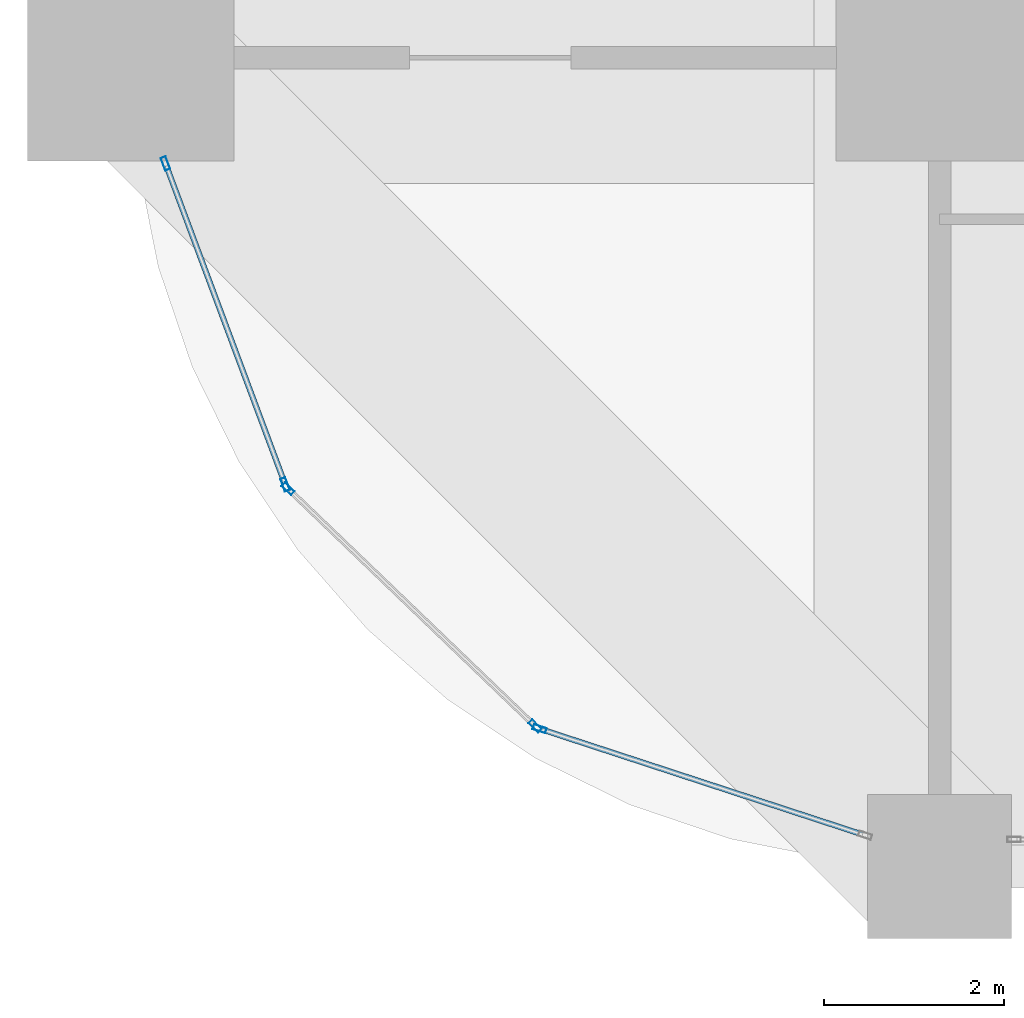
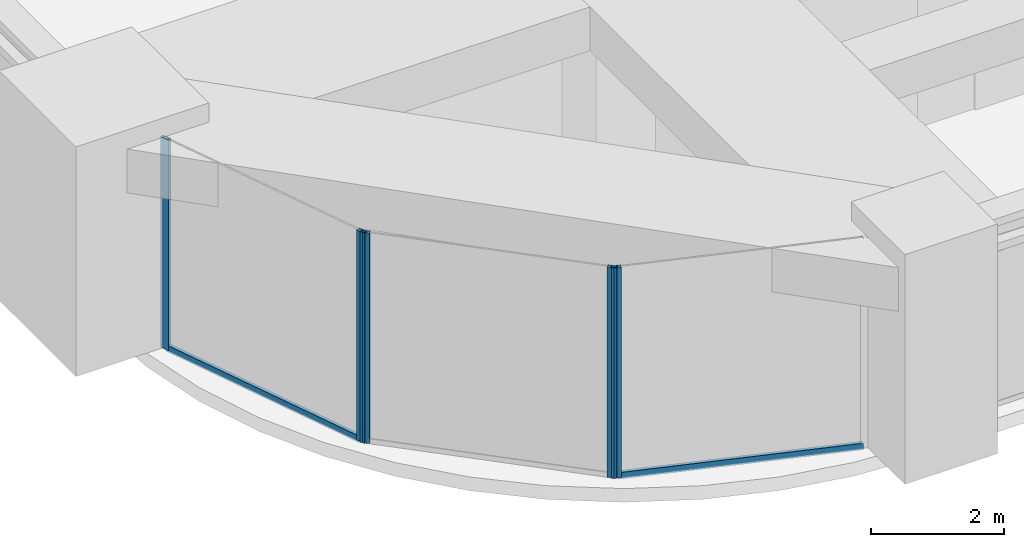
# One storey, part 2 of 39: 7 members, 3 elements without a shape of their own.
"""IFC4 building model written with IfcOpenShell, lengths in metres."""

import ifcopenshell
import ifcopenshell.guid

model = None  # the IFC model being written
_history = None  # IfcOwnerHistory: only IFC2X3 demands one
_inside = {}  # id of a spatial element -> (the spatial element, [elements in it])
_under = {}  # id of a project, library or spatial element -> (it, [spatial elements below it])
_declared = {}  # id of a project -> (the project, [libraries it declares])
_typed = {}  # id of a type object -> (the type object, [elements of that type])
_made_of = {}  # id of a material, layer set ... -> (it, [elements and type objects made of it])


def new_model(schema):
    """Start an empty IFC model of exactly this schema.

    Asked for "IFC4X3", IfcOpenShell would pick the latest addendum, in which some entities
    have other attributes; the version numbers below select the first issue.
    IFC2X3 requires an IfcOwnerHistory on every rooted entity: one is made here for all.
    """
    global model, _history
    if schema == "IFC4X3":
        model = ifcopenshell.file(schema_version=(4, 3, 0, 0))
    else:
        model = ifcopenshell.file(schema=schema)
    _inside.clear()
    _under.clear()
    _declared.clear()
    _typed.clear()
    _made_of.clear()
    _history = None
    if model.schema == "IFC2X3":
        org = make("IfcOrganization", Name="unknown")
        user = make(
            "IfcPersonAndOrganization",
            ThePerson=make("IfcPerson", FamilyName="unknown"),
            TheOrganization=org,
        )
        app = make(
            "IfcApplication",
            ApplicationDeveloper=org,
            Version="unknown",
            ApplicationFullName="unknown",
            ApplicationIdentifier="unknown",
        )
        _history = make(
            "IfcOwnerHistory",
            OwningUser=user,
            OwningApplication=app,
            ChangeAction="ADDED",
            CreationDate=0,
        )
    return model


def make(cls, **values):
    """One entity of the class cls with the attributes given. An attribute that is None is left unset."""
    return model.create_entity(
        cls, **{name: value for name, value in values.items() if value is not None}
    )


def rooted(cls, **values):
    """An entity with a GlobalId (a new one), such as an element, a storey or a relation."""
    return make(cls, GlobalId=ifcopenshell.guid.new(), OwnerHistory=_history, **values)


def si_unit(unit_type, name, prefix=None):
    """IfcSIUnit, for example si_unit("LENGTHUNIT", "METRE", prefix="MILLI")."""
    return make("IfcSIUnit", UnitType=unit_type, Prefix=prefix, Name=name)


def assignment(units):
    """IfcUnitAssignment: the units of a project."""
    return None if units is None else make("IfcUnitAssignment", Units=units)


def point(xyz):
    """IfcCartesianPoint."""
    return None if xyz is None else make("IfcCartesianPoint", Coordinates=xyz)


def direction(xyz):
    """IfcDirection."""
    return None if xyz is None else make("IfcDirection", DirectionRatios=xyz)


def frame(location, z_axis=None, x_axis=None):
    """IfcAxis2Placement3D, a coordinate frame: its origin and axes. An axis left out is left unset."""
    return make(
        "IfcAxis2Placement3D",
        Location=point(location),
        Axis=direction(z_axis),
        RefDirection=direction(x_axis),
    )


def frame_2d(location, x_axis=None):
    """IfcAxis2Placement2D, a coordinate frame in the plane: its origin and x axis."""
    return make(
        "IfcAxis2Placement2D", Location=point(location), RefDirection=direction(x_axis)
    )


def origin():
    """The frame at (0, 0, 0) with its axes left unset."""
    return frame((0.0, 0.0, 0.0))


def origin_2d():
    """The frame at (0, 0) in the plane with its x axis left unset."""
    return frame_2d((0.0, 0.0))


def place(relative_to, where):
    """IfcLocalPlacement: puts the frame where relative to a parent placement (None: the world)."""
    return make(
        "IfcLocalPlacement", PlacementRelTo=relative_to, RelativePlacement=where
    )


def context(
    kind, dimensions, precision=None, world=None, true_north=None, identifier=None
):
    """IfcGeometricRepresentationContext, for example the 3D "Model" context."""
    return make(
        "IfcGeometricRepresentationContext",
        ContextIdentifier=identifier,
        ContextType=kind,
        CoordinateSpaceDimension=dimensions,
        Precision=precision,
        WorldCoordinateSystem=world,
        TrueNorth=true_north,
    )


def subcontext(parent, identifier, kind, view, scale=None):
    """IfcGeometricRepresentationSubContext, for example "Body" below "Model"."""
    return make(
        "IfcGeometricRepresentationSubContext",
        ContextIdentifier=identifier,
        ContextType=kind,
        ParentContext=parent,
        TargetScale=scale,
        TargetView=view,
    )


def project(units=None, contexts=None):
    """IfcProject with its units and contexts."""
    return rooted(
        "IfcProject",
        Name="project",
        RepresentationContexts=contexts,
        UnitsInContext=assignment(units),
    )


def spatial(cls, under=None, at=None, **own):
    """A site, building, storey or space (cls), placed at a placement, below another one or the project."""
    s = rooted(cls, ObjectPlacement=at, **own)
    if under is not None:
        _under.setdefault(under.id(), (under, []))[1].append(s)
    return s


def profile(cls, at=None, kind="AREA", **sizes):
    """A parametric profile (cls). Its sizes go by their IFC names, for example OverallWidth=200.0."""
    return make(cls, ProfileType=kind, Position=at, **sizes)


def hollow_rectangle(**sizes):
    """IfcRectangleHollowProfileDef."""
    return profile("IfcRectangleHollowProfileDef", **sizes)


def extrude(swept, where, along, depth):
    """IfcExtrudedAreaSolid: the profile swept, set in the frame where, extruded along a direction by depth."""
    return make(
        "IfcExtrudedAreaSolid",
        SweptArea=swept,
        Position=where,
        ExtrudedDirection=direction(along),
        Depth=depth,
    )


def shape(context_of_items, identifier, shape_type, items):
    """IfcShapeRepresentation: the items that make up one representation, for example the "Body"."""
    return make(
        "IfcShapeRepresentation",
        ContextOfItems=context_of_items,
        RepresentationIdentifier=identifier,
        RepresentationType=shape_type,
        Items=items,
    )


def material(Name=None, Category=None):
    """IfcMaterial."""
    return make("IfcMaterial", Name=Name, Category=Category)


def material_profile(
    of_material, cross_section, Name=None, Category=None, Priority=None
):
    """IfcMaterialProfile: a cross section and its material."""
    return make(
        "IfcMaterialProfile",
        Name=Name,
        Material=of_material,
        Profile=cross_section,
        Priority=Priority,
        Category=Category,
    )


def profile_set(profiles, Name=None, composite=None):
    """IfcMaterialProfileSet."""
    return make(
        "IfcMaterialProfileSet",
        Name=Name,
        MaterialProfiles=profiles,
        CompositeProfile=composite,
    )


def made_of(thing, what):
    """Note that an element or type object is made of a material, layer set ...; save() writes the relation."""
    if what is not None:
        _made_of.setdefault(what.id(), (what, []))[1].append(thing)
    return thing


def type_object(cls, material=None, **own):
    """A type object (cls), such as IfcWallType, which elements share."""
    return made_of(rooted(cls, **own), material)


def element(
    cls,
    number,
    at=None,
    inside=None,
    cuts=None,
    type_object=None,
    material=None,
    context=None,
    identifier="Body",
    shape_type=None,
    held_by="IfcProductDefinitionShape",
    body=None,
    shapes=None,
    **own,
):
    """One element of the class cls, such as IfcWall. Its Tag is "e" and its number.

    at: its placement. inside: the storey or other place that contains it. cuts: it is an
    opening in that element (IfcRelVoidsElement). A single representation is given by context,
    identifier, shape_type and body (its items); several are given by shapes. held_by: the class
    of the entity that holds the representations. save() writes the other relations.
    """
    e = rooted(cls, Tag="e%d" % number, ObjectPlacement=at, **own)
    if body is not None:
        shapes = [shape(context, identifier, shape_type, body)]
    if shapes is not None:
        e.Representation = make(held_by, Representations=shapes)
    if inside is not None:
        _inside.setdefault(inside.id(), (inside, []))[1].append(e)
    if cuts is not None:
        rooted(
            "IfcRelVoidsElement", RelatingBuildingElement=cuts, RelatedOpeningElement=e
        )
    if type_object is not None:
        _typed.setdefault(type_object.id(), (type_object, []))[1].append(e)
    return made_of(e, material)


def aggregate(whole, parts):
    """IfcRelAggregates: a whole, such as a stair, and the parts it consists of."""
    return rooted("IfcRelAggregates", RelatingObject=whole, RelatedObjects=parts)


def save(model, path):
    """Write the relations noted so far, then the file.

    IfcRelAggregates (storeys below a building ...), IfcRelContainedInSpatialStructure (elements
    in a storey), IfcRelDefinesByType, IfcRelAssociatesMaterial and IfcRelDeclares: one each for
    every whole, place, type object, material and project.
    """
    for whole, parts in _under.values():
        aggregate(whole, parts)
    for where, things in _inside.values():
        rooted(
            "IfcRelContainedInSpatialStructure",
            RelatedElements=things,
            RelatingStructure=where,
        )
    for kind, things in _typed.values():
        rooted("IfcRelDefinesByType", RelatedObjects=things, RelatingType=kind)
    for what, things in _made_of.values():
        rooted("IfcRelAssociatesMaterial", RelatedObjects=things, RelatingMaterial=what)
    for by, libraries in _declared.values():
        rooted("IfcRelDeclares", RelatingContext=by, RelatedDefinitions=libraries)
    model.write(path)


model = new_model("IFC4")

# Units and contexts
model_context = context("Model", 3, precision=1e-05, world=origin(), true_north=direction((0.0, 1.0)))
body_context = subcontext(model_context, "Body", "Model", "MODEL_VIEW")
ifc_project = project(units=[si_unit("LENGTHUNIT", "METRE"), si_unit("AREAUNIT", "SQUARE_METRE"), si_unit("VOLUMEUNIT", "CUBIC_METRE"), si_unit("PLANEANGLEUNIT", "RADIAN"), si_unit("MASSUNIT", "GRAM", prefix="KILO")], contexts=[model_context])

# Site, building, storey
site_placement = place(None, origin())
site = spatial("IfcSite", under=ifc_project, at=site_placement, CompositionType="ELEMENT")
building_placement = place(site_placement, origin())
building = spatial("IfcBuilding", under=site, at=building_placement, Name="Zorevar Civic Tower", CompositionType="ELEMENT")
storey_placement = place(building_placement, frame((0.0, 0.0, 230.199951171875)))
storey = spatial("IfcBuildingStorey", under=building, at=storey_placement, Name="L56", CompositionType="ELEMENT", Elevation=230.199951171875)

# Curtain wall, members
ifc_material_1 = material(Name="Dark grey solar-control glass in black aluminium frame", Category="aluminium")
curtain_wall_type = type_object("IfcCurtainWallType", Name="Curtain wall CW4 high zone", PredefinedType="NOTDEFINED", material=ifc_material_1)
curtain_wall_1_placement = place(storey_placement, origin())
curtain_wall_1 = element("IfcCurtainWall", 1, at=curtain_wall_1_placement, inside=storey, type_object=curtain_wall_type, Name="CW4 L56", PredefinedType="NOTDEFINED")
ifc_material_2 = material(Name="Aluminium, black anodised", Category="aluminium")
ifc_material_profile_1 = material_profile(ifc_material_2, hollow_rectangle(XDim=0.06005859375, YDim=0.14990234375, WallThickness=0.00390625, at=origin_2d()), Name="AL 150x60x4")
ifc_profile_set_1 = profile_set([ifc_material_profile_1], Name="Aluminium, black anodised")
member_type_1 = type_object("IfcMemberType", Name="CW4 mullion AL 150x60x4", PredefinedType="MULLION", material=ifc_profile_set_1)
member_1_placement = place(storey_placement, frame((0.386962890625, 7.82177734375, 0.0), z_axis=(0.0, 0.0, 1.0), x_axis=(0.936971773701, 0.349405059046, 0.0)))
member_1 = element("IfcMember", 2, at=member_1_placement, type_object=member_type_1, Name="CW4 mullion 1", PredefinedType="MULLION", context=body_context, shape_type="SweptSolid", body=[
    extrude(hollow_rectangle(XDim=0.06005859375, YDim=0.14990234375, WallThickness=0.00390625, at=origin_2d()), origin(), (0.0, 0.0, 1.0), 3.85009765625),
])
member_2_placement = place(storey_placement, frame((1.718505859375, 4.2509765625, 0.0), z_axis=(0.0, 0.0, 1.0), x_axis=(0.936971773701, 0.349405059046, 0.0)))
member_2 = element("IfcMember", 3, at=member_2_placement, type_object=member_type_1, Name="CW4 mullion 2", PredefinedType="MULLION", context=body_context, shape_type="SweptSolid", body=[
    extrude(hollow_rectangle(XDim=0.06005859375, YDim=0.14990234375, WallThickness=0.00390625, at=origin_2d()), origin(), (0.0, 0.0, 1.0), 3.85009765625),
])

curtain_wall_2_placement = place(storey_placement, origin())
curtain_wall_2 = element("IfcCurtainWall", 4, at=curtain_wall_2_placement, inside=storey, type_object=curtain_wall_type, Name="CW4 L56", PredefinedType="NOTDEFINED")
member_3_placement = place(storey_placement, frame((1.750732421875, 4.2021484375, 0.0), z_axis=(0.0, 0.0, 1.0), x_axis=(0.69266083372, 0.721263453553, 0.0)))
member_3 = element("IfcMember", 5, at=member_3_placement, type_object=member_type_1, Name="CW4 mullion 1", PredefinedType="MULLION", context=body_context, shape_type="SweptSolid", body=[
    extrude(hollow_rectangle(XDim=0.06005859375, YDim=0.14990234375, WallThickness=0.00390625, at=origin_2d()), origin(), (0.0, 0.0, 1.0), 3.85009765625),
])
member_4_placement = place(storey_placement, frame((4.49951171875, 1.562255859375, 0.0), z_axis=(0.0, 0.0, 1.0), x_axis=(0.69266083372, 0.721263453553, 0.0)))
member_4 = element("IfcMember", 6, at=member_4_placement, type_object=member_type_1, Name="CW4 mullion 2", PredefinedType="MULLION", context=body_context, shape_type="SweptSolid", body=[
    extrude(hollow_rectangle(XDim=0.06005859375, YDim=0.14990234375, WallThickness=0.00390625, at=origin_2d()), origin(), (0.0, 0.0, 1.0), 3.85009765625),
])
aggregate(curtain_wall_2, [member_3, member_4])

# Curtain wall, member
curtain_wall_3_placement = place(storey_placement, origin())
curtain_wall_3 = element("IfcCurtainWall", 7, at=curtain_wall_3_placement, inside=storey, type_object=curtain_wall_type, Name="CW4 L56", PredefinedType="NOTDEFINED")
member_5_placement = place(storey_placement, frame((4.549560546875, 1.5322265625, 0.0), z_axis=(0.0, 0.0, 1.0), x_axis=(0.311169307637, 0.9503544928, 0.0)))
member_5 = element("IfcMember", 8, at=member_5_placement, type_object=member_type_1, Name="CW4 mullion 1", PredefinedType="MULLION", context=body_context, shape_type="SweptSolid", body=[
    extrude(hollow_rectangle(XDim=0.06005859375, YDim=0.14990234375, WallThickness=0.00390625, at=origin_2d()), origin(), (0.0, 0.0, 1.0), 3.85009765625),
])

# Member
ifc_material_3 = material(Name="Aluminium, black anodised", Category="aluminium")
ifc_material_profile_2 = material_profile(ifc_material_3, hollow_rectangle(XDim=0.06005859375, YDim=0.1201171875, WallThickness=0.0029296875, at=origin_2d()), Name="AL 120x60x3")
ifc_profile_set_2 = profile_set([ifc_material_profile_2], Name="Aluminium, black anodised")
member_type_2 = type_object("IfcMemberType", Name="CW4 transom AL 120x60x3", PredefinedType="USERDEFINED", material=ifc_profile_set_2)
member_6_placement = place(storey_placement, frame((0.3974609375, 7.793701171875, 0.030029296875), z_axis=(0.349382449242, -0.936980204786, 0.0), x_axis=(0.936980204786, 0.349382449242, 0.0)))
member_6 = element("IfcMember", 9, at=member_6_placement, type_object=member_type_2, Name="CW4 sill transom", ObjectType="TRANSOM", PredefinedType="USERDEFINED", context=body_context, shape_type="SweptSolid", body=[
    extrude(hollow_rectangle(XDim=0.06005859375, YDim=0.1201171875, WallThickness=0.0029296875, at=origin_2d()), origin(), (0.0, 0.0, 1.0), 3.7509765625),
])

aggregate(curtain_wall_1, [member_1, member_2, member_6])

member_7_placement = place(storey_placement, frame((4.578125, 1.52294921875, 0.030029296875), z_axis=(0.95035549325, -0.311166252105, 0.0), x_axis=(0.311166252105, 0.95035549325, 0.0)))
member_7 = element("IfcMember", 10, at=member_7_placement, type_object=member_type_2, Name="CW4 sill transom", ObjectType="TRANSOM", PredefinedType="USERDEFINED", context=body_context, shape_type="SweptSolid", body=[
    extrude(hollow_rectangle(XDim=0.06005859375, YDim=0.1201171875, WallThickness=0.0029296875, at=origin_2d()), origin(), (0.0, 0.0, 1.0), 3.751220703125),
])

aggregate(curtain_wall_3, [member_5, member_7])

save(model, "model.ifc")
